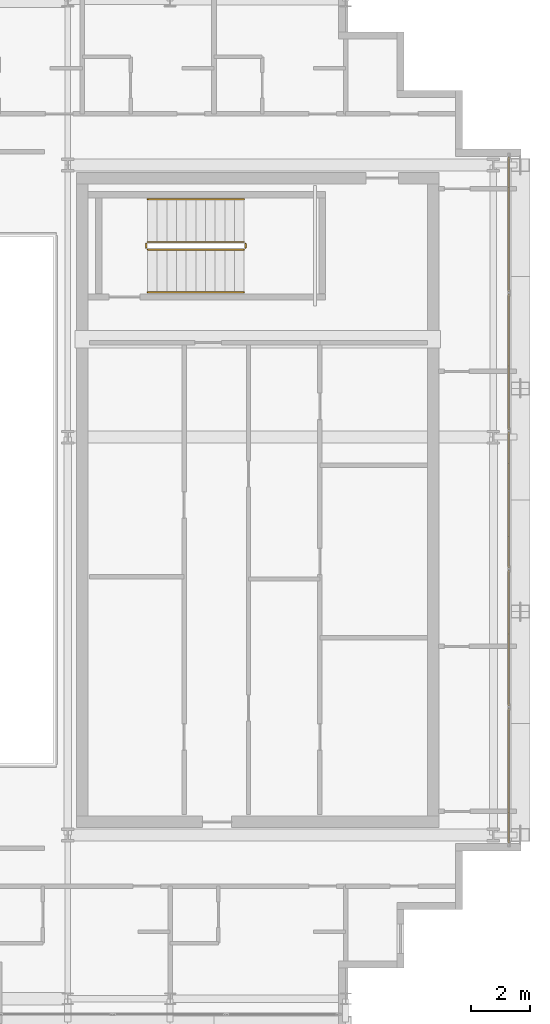
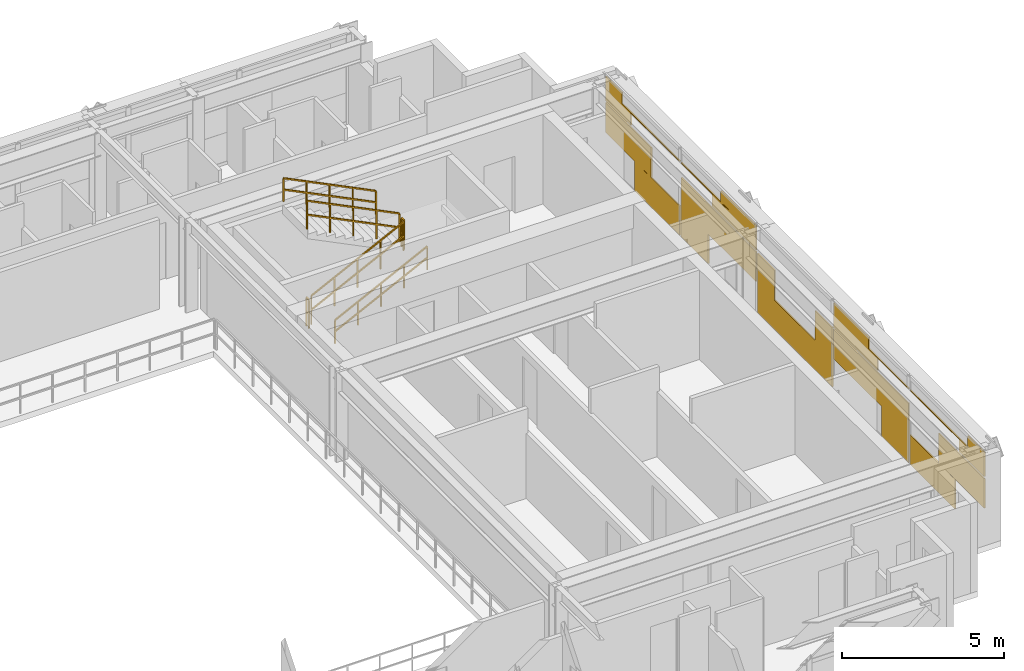
# One storey, part 27 of 28: 6 railings, 1 covering.
"""IFC4 building model written with IfcOpenShell, lengths in metres."""

from ifc_helpers import new_model, si_unit, direction, frame, origin, origin_2d, place, context, subcontext, project, spatial, rectangle, extrude, material, layer, layer_set, type_object, element, save


model = new_model("IFC4")

# Units and contexts
model_context = context("Model", 3, precision=1e-05, world=origin(), true_north=direction((0.0, 1.0)))
body_context = subcontext(model_context, "Body", "Model", "MODEL_VIEW")
ifc_project = project(units=[si_unit("LENGTHUNIT", "METRE"), si_unit("AREAUNIT", "SQUARE_METRE"), si_unit("VOLUMEUNIT", "CUBIC_METRE"), si_unit("PLANEANGLEUNIT", "RADIAN"), si_unit("MASSUNIT", "GRAM", prefix="KILO")], contexts=[model_context])

# Site, building, storey
site_placement = place(None, origin())
site = spatial("IfcSite", under=ifc_project, at=site_placement, CompositionType="ELEMENT")
building_placement = place(site_placement, origin())
building = spatial("IfcBuilding", under=site, at=building_placement, Name="Ocotamira Hotel", CompositionType="ELEMENT")
storey_placement = place(building_placement, frame((0.0, 0.0, 240.0)))
storey = spatial("IfcBuildingStorey", under=building, at=storey_placement, Name="L60", CompositionType="ELEMENT", Elevation=240.0)

# Covering
ifc_material_1 = material(Name="Insulated pale-metal aluminium spandrel panel", Category="aluminium")
ifc_layer = layer(ifc_material_1, 0.044921875)
ifc_layer_set = layer_set([ifc_layer], Name="Insulated pale-metal aluminium spandrel panel")
covering_type = type_object("IfcCoveringType", Name="COV-INFILL-45", PredefinedType="CLADDING", material=ifc_layer_set)
covering_placement = place(storey_placement, origin())
element("IfcCovering", 1, at=covering_placement, inside=storey, type_object=covering_type, Name="L60 Curtain Wall Infill CW-5 CW-L60-E", PredefinedType="CLADDING", context=body_context, shape_type="SweptSolid", body=[
    extrude(rectangle(XDim=2.831787109375, YDim=0.044921875, at=origin_2d()), frame((55.580078125, 15.6962890625, 1.1943359375), z_axis=(0.0, 0.0, 1.0), x_axis=(0.0, 1.0, 0.0)), (0.0, 0.0, 1.0), 1.117919921875),
    extrude(rectangle(XDim=2.786376953125, YDim=0.044921875, at=origin_2d()), frame((55.580078125, 17.486328125, 0.07568359375), z_axis=(0.0, 0.0, 1.0), x_axis=(0.0, 1.0, 0.0)), (0.0, 0.0, 1.0), 1.117919921875),
    extrude(rectangle(XDim=1.56640625, YDim=0.044921875, at=origin_2d()), frame((55.580078125, 15.063720703125, 2.38818359375), z_axis=(0.0, 0.0, 1.0), x_axis=(0.0, 1.0, 0.0)), (0.0, 0.0, 1.0), 0.466552734375),
    extrude(rectangle(XDim=4.59912109375, YDim=0.044921875, at=origin_2d()), frame((55.580078125, 16.580078125, 2.85546875), z_axis=(0.0, 0.0, 1.0), x_axis=(0.0, 1.0, 0.0)), (0.0, 0.0, 1.0), 0.036376953125),
    extrude(rectangle(XDim=1.03076171875, YDim=0.044921875, at=origin_2d()), frame((55.580078125, 14.7958984375, 2.89306640625), z_axis=(0.0, 0.0, 1.0), x_axis=(0.0, 1.0, 0.0)), (0.0, 0.0, 1.0), 0.41162109375),
    extrude(rectangle(XDim=1.6796875, YDim=0.044921875, at=origin_2d()), frame((55.580078125, 19.80029296875, 0.07568359375), z_axis=(0.0, 0.0, 1.0), x_axis=(0.0, 1.0, 0.0)), (0.0, 0.0, 1.0), 1.117919921875),
    extrude(rectangle(XDim=4.638916015625, YDim=0.044921875, at=origin_2d()), frame((55.580078125, 21.280029296875, 1.1943359375), z_axis=(0.0, 0.0, 1.0), x_axis=(0.0, 1.0, 0.0)), (0.0, 0.0, 1.0), 1.117919921875),
    extrude(rectangle(XDim=4.638916015625, YDim=0.044921875, at=origin_2d()), frame((55.580078125, 21.280029296875, 2.85546875), z_axis=(0.0, 0.0, 1.0), x_axis=(0.0, 1.0, 0.0)), (0.0, 0.0, 1.0), 0.036376953125),
    extrude(rectangle(XDim=2.712890625, YDim=0.044921875, at=origin_2d()), frame((55.580078125, 22.242919921875, 2.38818359375), z_axis=(0.0, 0.0, 1.0), x_axis=(0.0, 1.0, 0.0)), (0.0, 0.0, 1.0), 0.466552734375),
    extrude(rectangle(XDim=2.177490234375, YDim=0.044921875, at=origin_2d()), frame((55.580078125, 22.5107421875, 2.89306640625), z_axis=(0.0, 0.0, 1.0), x_axis=(0.0, 1.0, 0.0)), (0.0, 0.0, 1.0), 0.41162109375),
    extrude(rectangle(XDim=4.638916015625, YDim=0.044921875, at=origin_2d()), frame((55.580078125, 26.0, 0.07568359375), z_axis=(0.0, 0.0, 1.0), x_axis=(0.0, 1.0, 0.0)), (0.0, 0.0, 1.0), 1.117919921875),
    extrude(rectangle(XDim=1.065185546875, YDim=0.044921875, at=origin_2d()), frame((55.580078125, 24.213134765625, 1.1943359375), z_axis=(0.0, 0.0, 1.0), x_axis=(0.0, 1.0, 0.0)), (0.0, 0.0, 1.0), 1.117919921875),
    extrude(rectangle(XDim=1.065185546875, YDim=0.044921875, at=origin_2d()), frame((55.580078125, 27.786865234375, 1.1943359375), z_axis=(0.0, 0.0, 1.0), x_axis=(0.0, 1.0, 0.0)), (0.0, 0.0, 1.0), 1.117919921875),
    extrude(rectangle(XDim=4.638916015625, YDim=0.044921875, at=origin_2d()), frame((55.580078125, 30.719970703125, 1.1943359375), z_axis=(0.0, 0.0, 1.0), x_axis=(0.0, 1.0, 0.0)), (0.0, 0.0, 1.0), 1.117919921875),
    extrude(rectangle(XDim=1.6796875, YDim=0.044921875, at=origin_2d()), frame((55.580078125, 32.19970703125, 0.07568359375), z_axis=(0.0, 0.0, 1.0), x_axis=(0.0, 1.0, 0.0)), (0.0, 0.0, 1.0), 1.117919921875),
    extrude(rectangle(XDim=2.712890625, YDim=0.044921875, at=origin_2d()), frame((55.580078125, 29.757080078125, 2.38818359375), z_axis=(0.0, 0.0, 1.0), x_axis=(0.0, 1.0, 0.0)), (0.0, 0.0, 1.0), 0.466552734375),
    extrude(rectangle(XDim=4.638916015625, YDim=0.044921875, at=origin_2d()), frame((55.580078125, 30.719970703125, 2.85546875), z_axis=(0.0, 0.0, 1.0), x_axis=(0.0, 1.0, 0.0)), (0.0, 0.0, 1.0), 0.036376953125),
    extrude(rectangle(XDim=2.177490234375, YDim=0.044921875, at=origin_2d()), frame((55.580078125, 29.4892578125, 2.89306640625), z_axis=(0.0, 0.0, 1.0), x_axis=(0.0, 1.0, 0.0)), (0.0, 0.0, 1.0), 0.41162109375),
    extrude(rectangle(XDim=2.786376953125, YDim=0.044921875, at=origin_2d()), frame((55.580078125, 34.513671875, 0.07568359375), z_axis=(0.0, 0.0, 1.0), x_axis=(0.0, 1.0, 0.0)), (0.0, 0.0, 1.0), 1.117919921875),
    extrude(rectangle(XDim=2.831787109375, YDim=0.044921875, at=origin_2d()), frame((55.580078125, 36.3037109375, 1.1943359375), z_axis=(0.0, 0.0, 1.0), x_axis=(0.0, 1.0, 0.0)), (0.0, 0.0, 1.0), 1.117919921875),
    extrude(rectangle(XDim=4.59912109375, YDim=0.044921875, at=origin_2d()), frame((55.580078125, 35.419921875, 2.85546875), z_axis=(0.0, 0.0, 1.0), x_axis=(0.0, 1.0, 0.0)), (0.0, 0.0, 1.0), 0.036376953125),
    extrude(rectangle(XDim=1.56640625, YDim=0.044921875, at=origin_2d()), frame((55.580078125, 36.936279296875, 2.38818359375), z_axis=(0.0, 0.0, 1.0), x_axis=(0.0, 1.0, 0.0)), (0.0, 0.0, 1.0), 0.466552734375),
    extrude(rectangle(XDim=1.03076171875, YDim=0.044921875, at=origin_2d()), frame((55.580078125, 37.2041015625, 2.89306640625), z_axis=(0.0, 0.0, 1.0), x_axis=(0.0, 1.0, 0.0)), (0.0, 0.0, 1.0), 0.41162109375),
])

# Railings
ifc_material_2 = material(Name="Brushed stainless steel handrail", Category="steel")
railing_type_1 = type_object("IfcRailingType", Name="RL-HAND-900", PredefinedType="HANDRAIL", material=ifc_material_2)
railing_1_placement = place(storey_placement, frame((43.22998046875, 33.10009765625, 0.327392578125)))
element("IfcRailing", 2, at=railing_1_placement, inside=storey, type_object=railing_type_1, Name="L60 ST-4 stair handrail 1", PredefinedType="HANDRAIL", context=body_context, shape_type="SweptSolid", body=[
    extrude(rectangle(XDim=0.048095703125, YDim=0.048095703125, at=origin_2d()), frame((0.0, 0.0, 0.8759765625), z_axis=(0.895920123917, 0.0, 0.444215186098), x_axis=(0.0, 1.0, 0.0)), (0.0, 0.0, 1.0), 3.683349609375),
    extrude(rectangle(XDim=0.048095703125, YDim=0.048095703125, at=origin_2d()), frame((0.0, 0.0, 0.449951171875), z_axis=(0.895920123917, 0.0, 0.444215186098), x_axis=(0.0, 1.0, 0.0)), (0.0, 0.0, 1.0), 3.683349609375),
    extrude(rectangle(XDim=0.0419921875, YDim=0.0419921875, at=origin_2d()), origin(), (0.0, 0.0, 1.0), 0.851806640625),
    extrude(rectangle(XDim=0.0419921875, YDim=0.0419921875, at=origin_2d()), frame((0.824951171875, 0.0, 0.4091796875)), (0.0, 0.0, 1.0), 0.851806640625),
    extrude(rectangle(XDim=0.0419921875, YDim=0.0419921875, at=origin_2d()), frame((1.64990234375, 0.0, 0.818115234375)), (0.0, 0.0, 1.0), 0.851806640625),
    extrude(rectangle(XDim=0.0419921875, YDim=0.0419921875, at=origin_2d()), frame((2.47509765625, 0.0, 1.22705078125)), (0.0, 0.0, 1.0), 0.851806640625),
    extrude(rectangle(XDim=0.0419921875, YDim=0.0419921875, at=origin_2d()), frame((3.300048828125, 0.0, 1.63623046875)), (0.0, 0.0, 1.0), 0.851806640625),
])
railing_2_placement = place(storey_placement, frame((46.530029296875, 36.280029296875, 2.127197265625)))
element("IfcRailing", 3, at=railing_2_placement, inside=storey, type_object=railing_type_1, Name="L60 ST-4 stair handrail 2", PredefinedType="HANDRAIL", context=body_context, shape_type="SweptSolid", body=[
    extrude(rectangle(XDim=0.048095703125, YDim=0.048095703125, at=origin_2d()), frame((0.0, 0.0, 0.8759765625), z_axis=(-0.895893744519, 0.0, 0.4442683857), x_axis=(0.0, -1.0, 0.0)), (0.0, 0.0, 1.0), 3.68359375),
    extrude(rectangle(XDim=0.048095703125, YDim=0.048095703125, at=origin_2d()), frame((0.0, 0.0, 0.449951171875), z_axis=(-0.895893744519, 0.0, 0.4442683857), x_axis=(0.0, -1.0, 0.0)), (0.0, 0.0, 1.0), 3.68359375),
    extrude(rectangle(XDim=0.0419921875, YDim=0.0419921875, at=origin_2d()), origin(), (0.0, 0.0, 1.0), 0.851806640625),
    extrude(rectangle(XDim=0.0419921875, YDim=0.0419921875, at=origin_2d()), frame((-0.824951171875, 0.0, 0.4091796875)), (0.0, 0.0, 1.0), 0.851806640625),
    extrude(rectangle(XDim=0.0419921875, YDim=0.0419921875, at=origin_2d()), frame((-1.64990234375, 0.0, 0.818359375)), (0.0, 0.0, 1.0), 0.851806640625),
    extrude(rectangle(XDim=0.0419921875, YDim=0.0419921875, at=origin_2d()), frame((-2.47509765625, 0.0, 1.227294921875)), (0.0, 0.0, 1.0), 0.851806640625),
    extrude(rectangle(XDim=0.0419921875, YDim=0.0419921875, at=origin_2d()), frame((-3.300048828125, 0.0, 1.636474609375)), (0.0, 0.0, 1.0), 0.851806640625),
])
ifc_material_3 = material(Name="Painted steel stair guardrail", Category="steel")
railing_type_2 = type_object("IfcRailingType", Name="RL-STAIR-1100", PredefinedType="GUARDRAIL", material=ifc_material_3)
railing_3_placement = place(storey_placement, frame((43.22998046875, 34.56005859375, 0.16357421875)))
element("IfcRailing", 4, at=railing_3_placement, inside=storey, type_object=railing_type_2, Name="L60 ST-4 stair guard 1", PredefinedType="GUARDRAIL", context=body_context, shape_type="SweptSolid", body=[
    extrude(rectangle(XDim=0.048095703125, YDim=0.048095703125, at=origin_2d()), frame((0.0, 0.0, 1.076171875), z_axis=(0.895893744519, 0.0, 0.4442683857), x_axis=(0.0, 1.0, 0.0)), (0.0, 0.0, 1.0), 3.68359375),
    extrude(rectangle(XDim=0.048095703125, YDim=0.048095703125, at=origin_2d()), frame((0.0, 0.0, 0.550048828125), z_axis=(0.895893744519, 0.0, 0.4442683857), x_axis=(0.0, 1.0, 0.0)), (0.0, 0.0, 1.0), 3.68359375),
    extrude(rectangle(XDim=0.0419921875, YDim=0.0419921875, at=origin_2d()), origin(), (0.0, 0.0, 1.0), 1.052001953125),
    extrude(rectangle(XDim=0.0419921875, YDim=0.0419921875, at=origin_2d()), frame((0.824951171875, 0.0, 0.4091796875)), (0.0, 0.0, 1.0), 1.052001953125),
    extrude(rectangle(XDim=0.0419921875, YDim=0.0419921875, at=origin_2d()), frame((1.64990234375, 0.0, 0.818359375)), (0.0, 0.0, 1.0), 1.052001953125),
    extrude(rectangle(XDim=0.0419921875, YDim=0.0419921875, at=origin_2d()), frame((2.47509765625, 0.0, 1.227294921875)), (0.0, 0.0, 1.0), 1.052001953125),
    extrude(rectangle(XDim=0.0419921875, YDim=0.0419921875, at=origin_2d()), frame((3.300048828125, 0.0, 1.636474609375)), (0.0, 0.0, 1.0), 1.052001953125),
])
railing_4_placement = place(storey_placement, frame((46.580078125, 34.610107421875, 1.800048828125)))
element("IfcRailing", 5, at=railing_4_placement, inside=storey, type_object=railing_type_2, Name="L60 ST-4 stair guard 2", PredefinedType="GUARDRAIL", context=body_context, shape_type="SweptSolid", body=[
    extrude(rectangle(XDim=0.048095703125, YDim=0.048095703125, at=origin_2d()), frame((0.0, 0.0, 1.076171875), z_axis=(0.0, 1.0, 0.0), x_axis=(-1.0, 0.0, 0.0)), (0.0, 0.0, 1.0), 0.159912109375),
    extrude(rectangle(XDim=0.048095703125, YDim=0.048095703125, at=origin_2d()), frame((0.0, 0.0, 0.550048828125), z_axis=(0.0, 1.0, 0.0), x_axis=(-1.0, 0.0, 0.0)), (0.0, 0.0, 1.0), 0.159912109375),
    extrude(rectangle(XDim=0.0419921875, YDim=0.0419921875, at=origin_2d()), origin(), (0.0, 0.0, 1.0), 1.052001953125),
    extrude(rectangle(XDim=0.0419921875, YDim=0.0419921875, at=origin_2d()), frame((0.0, 0.159912109375, 0.0)), (0.0, 0.0, 1.0), 1.052001953125),
])
railing_5_placement = place(storey_placement, frame((46.530029296875, 34.820068359375, 1.963623046875)))
element("IfcRailing", 6, at=railing_5_placement, inside=storey, type_object=railing_type_2, Name="L60 ST-4 stair guard 3", PredefinedType="GUARDRAIL", context=body_context, shape_type="SweptSolid", body=[
    extrude(rectangle(XDim=0.048095703125, YDim=0.048095703125, at=origin_2d()), frame((0.0, 0.0, 1.076171875), z_axis=(-0.895893744519, 0.0, 0.4442683857), x_axis=(0.0, -1.0, 0.0)), (0.0, 0.0, 1.0), 3.68359375),
    extrude(rectangle(XDim=0.048095703125, YDim=0.048095703125, at=origin_2d()), frame((0.0, 0.0, 0.550048828125), z_axis=(-0.895893744519, 0.0, 0.4442683857), x_axis=(0.0, -1.0, 0.0)), (0.0, 0.0, 1.0), 3.68359375),
    extrude(rectangle(XDim=0.0419921875, YDim=0.0419921875, at=origin_2d()), origin(), (0.0, 0.0, 1.0), 1.052001953125),
    extrude(rectangle(XDim=0.0419921875, YDim=0.0419921875, at=origin_2d()), frame((-0.824951171875, 0.0, 0.4091796875)), (0.0, 0.0, 1.0), 1.052001953125),
    extrude(rectangle(XDim=0.0419921875, YDim=0.0419921875, at=origin_2d()), frame((-1.64990234375, 0.0, 0.818359375)), (0.0, 0.0, 1.0), 1.052001953125),
    extrude(rectangle(XDim=0.0419921875, YDim=0.0419921875, at=origin_2d()), frame((-2.47509765625, 0.0, 1.227294921875)), (0.0, 0.0, 1.0), 1.052001953125),
    extrude(rectangle(XDim=0.0419921875, YDim=0.0419921875, at=origin_2d()), frame((-3.300048828125, 0.0, 1.636474609375)), (0.0, 0.0, 1.0), 1.052001953125),
])
railing_6_placement = place(storey_placement, frame((43.179931640625, 34.610107421875, 0.0)))
element("IfcRailing", 7, at=railing_6_placement, inside=storey, type_object=railing_type_2, Name="L60 ST-4 stair guard 4", PredefinedType="GUARDRAIL", context=body_context, shape_type="SweptSolid", body=[
    extrude(rectangle(XDim=0.048095703125, YDim=0.048095703125, at=origin_2d()), frame((0.0, 0.0, 1.076171875), z_axis=(0.0, 1.0, 0.0), x_axis=(-1.0, 0.0, 0.0)), (0.0, 0.0, 1.0), 0.159912109375),
    extrude(rectangle(XDim=0.048095703125, YDim=0.048095703125, at=origin_2d()), frame((0.0, 0.0, 0.550048828125), z_axis=(0.0, 1.0, 0.0), x_axis=(-1.0, 0.0, 0.0)), (0.0, 0.0, 1.0), 0.159912109375),
    extrude(rectangle(XDim=0.0419921875, YDim=0.0419921875, at=origin_2d()), origin(), (0.0, 0.0, 1.0), 1.052001953125),
    extrude(rectangle(XDim=0.0419921875, YDim=0.0419921875, at=origin_2d()), frame((0.0, 0.159912109375, 0.0)), (0.0, 0.0, 1.0), 1.052001953125),
])

save(model, "model.ifc")
